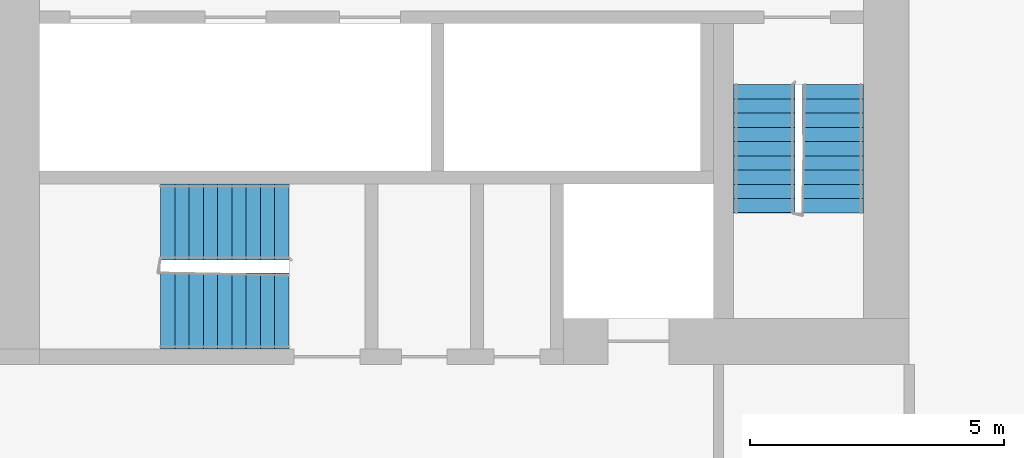
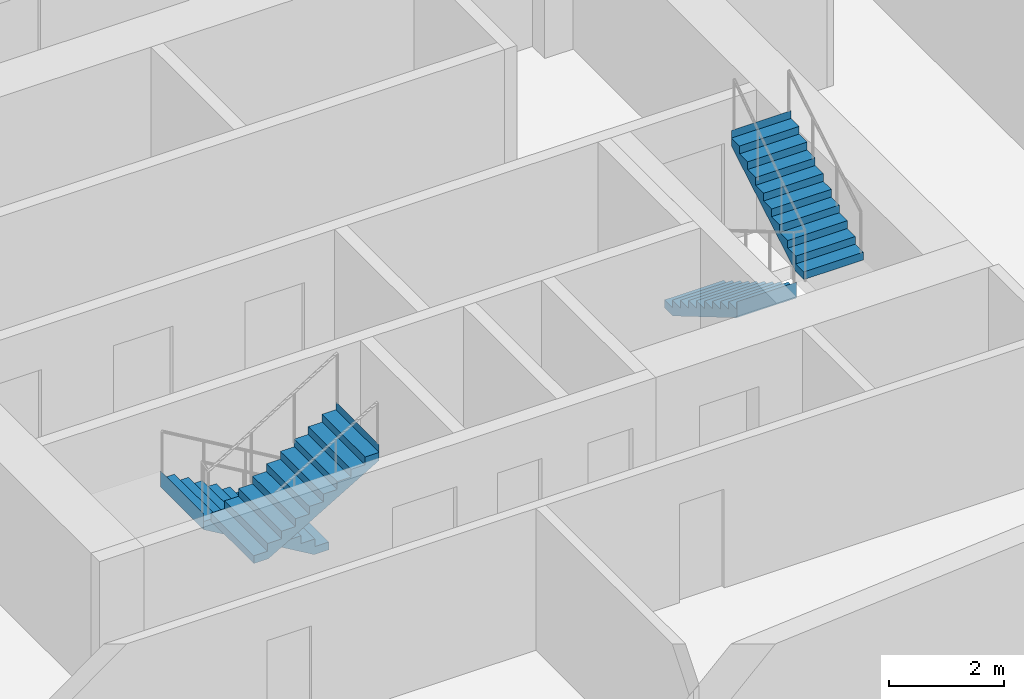
# One storey, part 9 of 12: 4 stair flights, 2 elements without a shape of their own.
"""IFC4 building model written with IfcOpenShell, lengths in metres."""

from ifc_helpers import new_model, si_unit, direction, frame, origin, place, context, subcontext, project, spatial, faceted_brep, material, type_object, element, aggregate, save


model = new_model("IFC4")

# Units and contexts
model_context = context("Model", 3, precision=1e-05, world=origin(), true_north=direction((0.0, 1.0)))
body_context = subcontext(model_context, "Body", "Model", "MODEL_VIEW")
ifc_project = project(units=[si_unit("LENGTHUNIT", "METRE"), si_unit("AREAUNIT", "SQUARE_METRE"), si_unit("VOLUMEUNIT", "CUBIC_METRE"), si_unit("PLANEANGLEUNIT", "RADIAN"), si_unit("MASSUNIT", "GRAM", prefix="KILO")], contexts=[model_context])

# Site, building, storey
site_placement = place(None, origin())
site = spatial("IfcSite", under=ifc_project, at=site_placement, CompositionType="ELEMENT")
building_placement = place(site_placement, origin())
building = spatial("IfcBuilding", under=site, at=building_placement, Name="Kajstack Hotel Tower", CompositionType="ELEMENT")
storey_placement = place(building_placement, frame((0.0, 0.0, 127.300048828125)))
storey = spatial("IfcBuildingStorey", under=building, at=storey_placement, Name="L28", CompositionType="ELEMENT", Elevation=127.300048828125)

# Stair, stair flights
ifc_material = material(Name="Concrete C40/50", Category="concrete")
stair_type_1 = type_object("IfcStairType", Name="Exit stair 1200", PredefinedType="HALF_TURN_STAIR", material=ifc_material)
stair_1_placement = place(storey_placement, origin())
stair_1 = element("IfcStair", 1, at=stair_1_placement, inside=storey, type_object=stair_type_1, Name="L28 stair W2", PredefinedType="HALF_TURN_STAIR")
stair_flight_type_1 = type_object("IfcStairFlightType", Name="Exit stair flight 1200", PredefinedType="STRAIGHT", material=ifc_material)
stair_flight_1_placement = place(storey_placement, frame((-16.35009765625, -10.0, 0.0), z_axis=(0.0, 0.0, 1.0), x_axis=(0.0, -1.0, 0.0)))
stair_flight_1 = element("IfcStairFlight", 2, at=stair_flight_1_placement, type_object=stair_flight_type_1, Name="W2 flight 1", NumberOfRisers=10, NumberOfTreads=9, PredefinedType="STRAIGHT", RiserHeight=0.165, TreadLength=0.28, context=body_context, shape_type="Brep", body=[
    faceted_brep([(0.295654296875, -0.60009765625, 0.0), (2.5205078125, -0.60009765625, 1.31103515625), (2.5205078125, -0.60009765625, 1.64990234375), (2.52001953125, -0.60009765625, 1.64990234375), (2.52001953125, -0.60009765625, 1.485107421875), (2.239990234375, -0.60009765625, 1.485107421875), (2.239990234375, -0.60009765625, 1.320068359375), (1.9599609375, -0.60009765625, 1.320068359375), (1.9599609375, -0.60009765625, 1.155029296875), (1.679931640625, -0.60009765625, 1.155029296875), (1.679931640625, -0.60009765625, 0.989990234375), (1.39990234375, -0.60009765625, 0.989990234375), (1.39990234375, -0.60009765625, 0.824951171875), (1.1201171875, -0.60009765625, 0.824951171875), (1.1201171875, -0.60009765625, 0.659912109375), (0.840087890625, -0.60009765625, 0.659912109375), (0.840087890625, -0.60009765625, 0.4951171875), (0.56005859375, -0.60009765625, 0.4951171875), (0.56005859375, -0.60009765625, 0.330078125), (0.280029296875, -0.60009765625, 0.330078125), (0.280029296875, -0.60009765625, 0.1650390625), (-0.00048828125, -0.60009765625, 0.1650390625), (-0.00048828125, -0.60009765625, 0.0), (-0.00048828125, 0.60009765625, 0.0), (-0.00048828125, 0.60009765625, 0.1650390625), (0.280029296875, 0.60009765625, 0.1650390625), (0.280029296875, 0.60009765625, 0.330078125), (0.56005859375, 0.60009765625, 0.330078125), (0.56005859375, 0.60009765625, 0.4951171875), (0.840087890625, 0.60009765625, 0.4951171875), (0.840087890625, 0.60009765625, 0.659912109375), (1.1201171875, 0.60009765625, 0.659912109375), (1.1201171875, 0.60009765625, 0.824951171875), (1.39990234375, 0.60009765625, 0.824951171875), (1.39990234375, 0.60009765625, 0.989990234375), (1.679931640625, 0.60009765625, 0.989990234375), (1.679931640625, 0.60009765625, 1.155029296875), (1.9599609375, 0.60009765625, 1.155029296875), (1.9599609375, 0.60009765625, 1.320068359375), (2.239990234375, 0.60009765625, 1.320068359375), (2.239990234375, 0.60009765625, 1.485107421875), (2.52001953125, 0.60009765625, 1.485107421875), (2.52001953125, 0.60009765625, 1.64990234375), (2.5205078125, 0.60009765625, 1.64990234375), (2.5205078125, 0.60009765625, 1.31103515625), (0.295654296875, 0.60009765625, 0.0), (-0.00048828125, -0.300048828125, 0.1650390625), (-0.00048828125, 0.0, 0.1650390625), (-0.00048828125, 0.300048828125, 0.1650390625), (-0.00048828125, 0.300048828125, 0.0), (-0.00048828125, 0.0, 0.0), (-0.00048828125, -0.300048828125, 0.0), (0.280029296875, -0.300048828125, 0.1650390625), (0.280029296875, 0.0, 0.1650390625), (0.280029296875, 0.300048828125, 0.1650390625), (0.280029296875, -0.300048828125, 0.330078125), (0.280029296875, 0.0, 0.330078125), (0.280029296875, 0.300048828125, 0.330078125), (0.56005859375, -0.300048828125, 0.330078125), (0.56005859375, 0.0, 0.330078125), (0.56005859375, 0.300048828125, 0.330078125), (0.56005859375, -0.300048828125, 0.4951171875), (0.56005859375, 0.0, 0.4951171875), (0.56005859375, 0.300048828125, 0.4951171875), (0.840087890625, -0.300048828125, 0.4951171875), (0.840087890625, 0.0, 0.4951171875), (0.840087890625, 0.300048828125, 0.4951171875), (0.840087890625, -0.300048828125, 0.659912109375), (0.840087890625, 0.0, 0.659912109375), (0.840087890625, 0.300048828125, 0.659912109375), (1.1201171875, -0.300048828125, 0.659912109375), (1.1201171875, 0.0, 0.659912109375), (1.1201171875, 0.300048828125, 0.659912109375), (1.1201171875, -0.300048828125, 0.824951171875), (1.1201171875, 0.0, 0.824951171875), (1.1201171875, 0.300048828125, 0.824951171875), (1.39990234375, -0.300048828125, 0.824951171875), (1.39990234375, 0.0, 0.824951171875), (1.39990234375, 0.300048828125, 0.824951171875), (1.39990234375, -0.300048828125, 0.989990234375), (1.39990234375, 0.0, 0.989990234375), (1.39990234375, 0.300048828125, 0.989990234375), (1.679931640625, -0.300048828125, 0.989990234375), (1.679931640625, 0.0, 0.989990234375), (1.679931640625, 0.300048828125, 0.989990234375), (1.679931640625, -0.300048828125, 1.155029296875), (1.679931640625, 0.0, 1.155029296875), (1.679931640625, 0.300048828125, 1.155029296875), (1.9599609375, -0.300048828125, 1.155029296875), (1.9599609375, 0.0, 1.155029296875), (1.9599609375, 0.300048828125, 1.155029296875), (1.9599609375, -0.300048828125, 1.320068359375), (1.9599609375, 0.0, 1.320068359375), (1.9599609375, 0.300048828125, 1.320068359375), (2.239990234375, -0.300048828125, 1.320068359375), (2.239990234375, 0.0, 1.320068359375), (2.239990234375, 0.300048828125, 1.320068359375), (2.239990234375, -0.300048828125, 1.485107421875), (2.239990234375, 0.0, 1.485107421875), (2.239990234375, 0.300048828125, 1.485107421875), (2.52001953125, -0.300048828125, 1.485107421875), (2.52001953125, 0.0, 1.485107421875), (2.52001953125, 0.300048828125, 1.485107421875), (2.52001953125, -0.300048828125, 1.64990234375), (2.52001953125, 0.0, 1.64990234375), (2.52001953125, 0.300048828125, 1.64990234375), (2.5205078125, -0.300048828125, 1.64990234375), (2.5205078125, 0.0, 1.64990234375), (2.5205078125, 0.300048828125, 1.64990234375), (2.5205078125, -0.300048828125, 1.31103515625), (2.5205078125, 0.0, 1.31103515625), (2.5205078125, 0.300048828125, 1.31103515625), (0.295654296875, -0.300048828125, 0.0), (0.295654296875, 0.0, 0.0), (0.295654296875, 0.300048828125, 0.0)], [[[0, 1, 2, 3, 4, 5, 6, 7, 8, 9, 10, 11, 12, 13, 14, 15, 16, 17, 18, 19, 20, 21, 22]], [[23, 24, 25, 26, 27, 28, 29, 30, 31, 32, 33, 34, 35, 36, 37, 38, 39, 40, 41, 42, 43, 44, 45]], [[21, 46, 47, 48, 24, 23, 49, 50, 51, 22]], [[20, 52, 53, 54, 25, 24, 48, 47, 46, 21]], [[19, 55, 56, 57, 26, 25, 54, 53, 52, 20]], [[18, 58, 59, 60, 27, 26, 57, 56, 55, 19]], [[17, 61, 62, 63, 28, 27, 60, 59, 58, 18]], [[16, 64, 65, 66, 29, 28, 63, 62, 61, 17]], [[15, 67, 68, 69, 30, 29, 66, 65, 64, 16]], [[14, 70, 71, 72, 31, 30, 69, 68, 67, 15]], [[13, 73, 74, 75, 32, 31, 72, 71, 70, 14]], [[12, 76, 77, 78, 33, 32, 75, 74, 73, 13]], [[11, 79, 80, 81, 34, 33, 78, 77, 76, 12]], [[10, 82, 83, 84, 35, 34, 81, 80, 79, 11]], [[9, 85, 86, 87, 36, 35, 84, 83, 82, 10]], [[8, 88, 89, 90, 37, 36, 87, 86, 85, 9]], [[7, 91, 92, 93, 38, 37, 90, 89, 88, 8]], [[6, 94, 95, 96, 39, 38, 93, 92, 91, 7]], [[5, 97, 98, 99, 40, 39, 96, 95, 94, 6]], [[4, 100, 101, 102, 41, 40, 99, 98, 97, 5]], [[3, 103, 104, 105, 42, 41, 102, 101, 100, 4]], [[2, 106, 107, 108, 43, 42, 105, 104, 103, 3]], [[1, 109, 110, 111, 44, 43, 108, 107, 106, 2]], [[0, 112, 113, 114, 45, 44, 111, 110, 109, 1]], [[22, 51, 50, 49, 23, 45, 114, 113, 112, 0]]]),
])
stair_flight_2_placement = place(storey_placement, frame((-15.0, -12.52001953125, 1.64990234375), z_axis=(0.0, 0.0, 1.0), x_axis=(0.0, 1.0, 0.0)))
stair_flight_2 = element("IfcStairFlight", 3, at=stair_flight_2_placement, type_object=stair_flight_type_1, Name="W2 flight 2", NumberOfRisers=10, NumberOfTreads=9, PredefinedType="STRAIGHT", RiserHeight=0.165, TreadLength=0.28, context=body_context, shape_type="Brep", body=[
    faceted_brep([(0.295654296875, -0.60009765625, 0.0), (2.5205078125, -0.60009765625, 1.31103515625), (2.5205078125, -0.60009765625, 1.64990234375), (2.52001953125, -0.60009765625, 1.64990234375), (2.52001953125, -0.60009765625, 1.485107421875), (2.239990234375, -0.60009765625, 1.485107421875), (2.239990234375, -0.60009765625, 1.320068359375), (1.9599609375, -0.60009765625, 1.320068359375), (1.9599609375, -0.60009765625, 1.155029296875), (1.679931640625, -0.60009765625, 1.155029296875), (1.679931640625, -0.60009765625, 0.989990234375), (1.39990234375, -0.60009765625, 0.989990234375), (1.39990234375, -0.60009765625, 0.824951171875), (1.1201171875, -0.60009765625, 0.824951171875), (1.1201171875, -0.60009765625, 0.659912109375), (0.840087890625, -0.60009765625, 0.659912109375), (0.840087890625, -0.60009765625, 0.4951171875), (0.56005859375, -0.60009765625, 0.4951171875), (0.56005859375, -0.60009765625, 0.330078125), (0.280029296875, -0.60009765625, 0.330078125), (0.280029296875, -0.60009765625, 0.1650390625), (-0.00048828125, -0.60009765625, 0.1650390625), (-0.00048828125, -0.60009765625, 0.0), (-0.00048828125, 0.60009765625, 0.0), (-0.00048828125, 0.60009765625, 0.1650390625), (0.280029296875, 0.60009765625, 0.1650390625), (0.280029296875, 0.60009765625, 0.330078125), (0.56005859375, 0.60009765625, 0.330078125), (0.56005859375, 0.60009765625, 0.4951171875), (0.840087890625, 0.60009765625, 0.4951171875), (0.840087890625, 0.60009765625, 0.659912109375), (1.1201171875, 0.60009765625, 0.659912109375), (1.1201171875, 0.60009765625, 0.824951171875), (1.39990234375, 0.60009765625, 0.824951171875), (1.39990234375, 0.60009765625, 0.989990234375), (1.679931640625, 0.60009765625, 0.989990234375), (1.679931640625, 0.60009765625, 1.155029296875), (1.9599609375, 0.60009765625, 1.155029296875), (1.9599609375, 0.60009765625, 1.320068359375), (2.239990234375, 0.60009765625, 1.320068359375), (2.239990234375, 0.60009765625, 1.485107421875), (2.52001953125, 0.60009765625, 1.485107421875), (2.52001953125, 0.60009765625, 1.64990234375), (2.5205078125, 0.60009765625, 1.64990234375), (2.5205078125, 0.60009765625, 1.31103515625), (0.295654296875, 0.60009765625, 0.0), (-0.00048828125, -0.300048828125, 0.1650390625), (-0.00048828125, 0.0, 0.1650390625), (-0.00048828125, 0.300048828125, 0.1650390625), (-0.00048828125, 0.300048828125, 0.0), (-0.00048828125, 0.0, 0.0), (-0.00048828125, -0.300048828125, 0.0), (0.280029296875, -0.300048828125, 0.1650390625), (0.280029296875, 0.0, 0.1650390625), (0.280029296875, 0.300048828125, 0.1650390625), (0.280029296875, -0.300048828125, 0.330078125), (0.280029296875, 0.0, 0.330078125), (0.280029296875, 0.300048828125, 0.330078125), (0.56005859375, -0.300048828125, 0.330078125), (0.56005859375, 0.0, 0.330078125), (0.56005859375, 0.300048828125, 0.330078125), (0.56005859375, -0.300048828125, 0.4951171875), (0.56005859375, 0.0, 0.4951171875), (0.56005859375, 0.300048828125, 0.4951171875), (0.840087890625, -0.300048828125, 0.4951171875), (0.840087890625, 0.0, 0.4951171875), (0.840087890625, 0.300048828125, 0.4951171875), (0.840087890625, -0.300048828125, 0.659912109375), (0.840087890625, 0.0, 0.659912109375), (0.840087890625, 0.300048828125, 0.659912109375), (1.1201171875, -0.300048828125, 0.659912109375), (1.1201171875, 0.0, 0.659912109375), (1.1201171875, 0.300048828125, 0.659912109375), (1.1201171875, -0.300048828125, 0.824951171875), (1.1201171875, 0.0, 0.824951171875), (1.1201171875, 0.300048828125, 0.824951171875), (1.39990234375, -0.300048828125, 0.824951171875), (1.39990234375, 0.0, 0.824951171875), (1.39990234375, 0.300048828125, 0.824951171875), (1.39990234375, -0.300048828125, 0.989990234375), (1.39990234375, 0.0, 0.989990234375), (1.39990234375, 0.300048828125, 0.989990234375), (1.679931640625, -0.300048828125, 0.989990234375), (1.679931640625, 0.0, 0.989990234375), (1.679931640625, 0.300048828125, 0.989990234375), (1.679931640625, -0.300048828125, 1.155029296875), (1.679931640625, 0.0, 1.155029296875), (1.679931640625, 0.300048828125, 1.155029296875), (1.9599609375, -0.300048828125, 1.155029296875), (1.9599609375, 0.0, 1.155029296875), (1.9599609375, 0.300048828125, 1.155029296875), (1.9599609375, -0.300048828125, 1.320068359375), (1.9599609375, 0.0, 1.320068359375), (1.9599609375, 0.300048828125, 1.320068359375), (2.239990234375, -0.300048828125, 1.320068359375), (2.239990234375, 0.0, 1.320068359375), (2.239990234375, 0.300048828125, 1.320068359375), (2.239990234375, -0.300048828125, 1.485107421875), (2.239990234375, 0.0, 1.485107421875), (2.239990234375, 0.300048828125, 1.485107421875), (2.52001953125, -0.300048828125, 1.485107421875), (2.52001953125, 0.0, 1.485107421875), (2.52001953125, 0.300048828125, 1.485107421875), (2.52001953125, -0.300048828125, 1.64990234375), (2.52001953125, 0.0, 1.64990234375), (2.52001953125, 0.300048828125, 1.64990234375), (2.5205078125, -0.300048828125, 1.64990234375), (2.5205078125, 0.0, 1.64990234375), (2.5205078125, 0.300048828125, 1.64990234375), (2.5205078125, -0.300048828125, 1.31103515625), (2.5205078125, 0.0, 1.31103515625), (2.5205078125, 0.300048828125, 1.31103515625), (0.295654296875, -0.300048828125, 0.0), (0.295654296875, 0.0, 0.0), (0.295654296875, 0.300048828125, 0.0)], [[[0, 1, 2, 3, 4, 5, 6, 7, 8, 9, 10, 11, 12, 13, 14, 15, 16, 17, 18, 19, 20, 21, 22]], [[23, 24, 25, 26, 27, 28, 29, 30, 31, 32, 33, 34, 35, 36, 37, 38, 39, 40, 41, 42, 43, 44, 45]], [[21, 46, 47, 48, 24, 23, 49, 50, 51, 22]], [[20, 52, 53, 54, 25, 24, 48, 47, 46, 21]], [[19, 55, 56, 57, 26, 25, 54, 53, 52, 20]], [[18, 58, 59, 60, 27, 26, 57, 56, 55, 19]], [[17, 61, 62, 63, 28, 27, 60, 59, 58, 18]], [[16, 64, 65, 66, 29, 28, 63, 62, 61, 17]], [[15, 67, 68, 69, 30, 29, 66, 65, 64, 16]], [[14, 70, 71, 72, 31, 30, 69, 68, 67, 15]], [[13, 73, 74, 75, 32, 31, 72, 71, 70, 14]], [[12, 76, 77, 78, 33, 32, 75, 74, 73, 13]], [[11, 79, 80, 81, 34, 33, 78, 77, 76, 12]], [[10, 82, 83, 84, 35, 34, 81, 80, 79, 11]], [[9, 85, 86, 87, 36, 35, 84, 83, 82, 10]], [[8, 88, 89, 90, 37, 36, 87, 86, 85, 9]], [[7, 91, 92, 93, 38, 37, 90, 89, 88, 8]], [[6, 94, 95, 96, 39, 38, 93, 92, 91, 7]], [[5, 97, 98, 99, 40, 39, 96, 95, 94, 6]], [[4, 100, 101, 102, 41, 40, 99, 98, 97, 5]], [[3, 103, 104, 105, 42, 41, 102, 101, 100, 4]], [[2, 106, 107, 108, 43, 42, 105, 104, 103, 3]], [[1, 109, 110, 111, 44, 43, 108, 107, 106, 2]], [[0, 112, 113, 114, 45, 44, 111, 110, 109, 1]], [[22, 51, 50, 49, 23, 45, 114, 113, 112, 0]]]),
])
aggregate(stair_1, [stair_flight_1, stair_flight_2])

stair_type_2 = type_object("IfcStairType", Name="Exit stair 1500", PredefinedType="HALF_TURN_STAIR", material=ifc_material)
stair_2_placement = place(storey_placement, origin())
stair_2 = element("IfcStair", 4, at=stair_2_placement, inside=storey, type_object=stair_type_2, Name="L28 stair W3", PredefinedType="HALF_TURN_STAIR")
stair_flight_type_2 = type_object("IfcStairFlightType", Name="Exit stair flight 1500", PredefinedType="STRAIGHT", material=ifc_material)
stair_flight_3_placement = place(storey_placement, frame((-25.699951171875, -12.699951171875, 0.0), z_axis=(0.0, 0.0, 1.0), x_axis=(-1.0, 0.0, 0.0)))
stair_flight_3 = element("IfcStairFlight", 5, at=stair_flight_3_placement, type_object=stair_flight_type_2, Name="W3 flight 1", NumberOfRisers=10, NumberOfTreads=9, PredefinedType="STRAIGHT", RiserHeight=0.165, TreadLength=0.28, context=body_context, shape_type="Brep", body=[
    faceted_brep([(0.295654296875, -0.75, 0.0), (2.5205078125, -0.75, 1.31103515625), (2.5205078125, -0.75, 1.64990234375), (2.52001953125, -0.75, 1.64990234375), (2.52001953125, -0.75, 1.485107421875), (2.239990234375, -0.75, 1.485107421875), (2.239990234375, -0.75, 1.320068359375), (1.9599609375, -0.75, 1.320068359375), (1.9599609375, -0.75, 1.155029296875), (1.679931640625, -0.75, 1.155029296875), (1.679931640625, -0.75, 0.989990234375), (1.39990234375, -0.75, 0.989990234375), (1.39990234375, -0.75, 0.824951171875), (1.1201171875, -0.75, 0.824951171875), (1.1201171875, -0.75, 0.659912109375), (0.840087890625, -0.75, 0.659912109375), (0.840087890625, -0.75, 0.4951171875), (0.56005859375, -0.75, 0.4951171875), (0.56005859375, -0.75, 0.330078125), (0.280029296875, -0.75, 0.330078125), (0.280029296875, -0.75, 0.1650390625), (-0.00048828125, -0.75, 0.1650390625), (-0.00048828125, -0.75, 0.0), (-0.00048828125, 0.75, 0.0), (-0.00048828125, 0.75, 0.1650390625), (0.280029296875, 0.75, 0.1650390625), (0.280029296875, 0.75, 0.330078125), (0.56005859375, 0.75, 0.330078125), (0.56005859375, 0.75, 0.4951171875), (0.840087890625, 0.75, 0.4951171875), (0.840087890625, 0.75, 0.659912109375), (1.1201171875, 0.75, 0.659912109375), (1.1201171875, 0.75, 0.824951171875), (1.39990234375, 0.75, 0.824951171875), (1.39990234375, 0.75, 0.989990234375), (1.679931640625, 0.75, 0.989990234375), (1.679931640625, 0.75, 1.155029296875), (1.9599609375, 0.75, 1.155029296875), (1.9599609375, 0.75, 1.320068359375), (2.239990234375, 0.75, 1.320068359375), (2.239990234375, 0.75, 1.485107421875), (2.52001953125, 0.75, 1.485107421875), (2.52001953125, 0.75, 1.64990234375), (2.5205078125, 0.75, 1.64990234375), (2.5205078125, 0.75, 1.31103515625), (0.295654296875, 0.75, 0.0), (-0.00048828125, -0.375, 0.1650390625), (-0.00048828125, 0.0, 0.1650390625), (-0.00048828125, 0.375, 0.1650390625), (-0.00048828125, 0.375, 0.0), (-0.00048828125, 0.0, 0.0), (-0.00048828125, -0.375, 0.0), (0.280029296875, -0.375, 0.1650390625), (0.280029296875, 0.0, 0.1650390625), (0.280029296875, 0.375, 0.1650390625), (0.280029296875, -0.375, 0.330078125), (0.280029296875, 0.0, 0.330078125), (0.280029296875, 0.375, 0.330078125), (0.56005859375, -0.375, 0.330078125), (0.56005859375, 0.0, 0.330078125), (0.56005859375, 0.375, 0.330078125), (0.56005859375, -0.375, 0.4951171875), (0.56005859375, 0.0, 0.4951171875), (0.56005859375, 0.375, 0.4951171875), (0.840087890625, -0.375, 0.4951171875), (0.840087890625, 0.0, 0.4951171875), (0.840087890625, 0.375, 0.4951171875), (0.840087890625, -0.375, 0.659912109375), (0.840087890625, 0.0, 0.659912109375), (0.840087890625, 0.375, 0.659912109375), (1.1201171875, -0.375, 0.659912109375), (1.1201171875, 0.0, 0.659912109375), (1.1201171875, 0.375, 0.659912109375), (1.1201171875, -0.375, 0.824951171875), (1.1201171875, 0.0, 0.824951171875), (1.1201171875, 0.375, 0.824951171875), (1.39990234375, -0.375, 0.824951171875), (1.39990234375, 0.0, 0.824951171875), (1.39990234375, 0.375, 0.824951171875), (1.39990234375, -0.375, 0.989990234375), (1.39990234375, 0.0, 0.989990234375), (1.39990234375, 0.375, 0.989990234375), (1.679931640625, -0.375, 0.989990234375), (1.679931640625, 0.0, 0.989990234375), (1.679931640625, 0.375, 0.989990234375), (1.679931640625, -0.375, 1.155029296875), (1.679931640625, 0.0, 1.155029296875), (1.679931640625, 0.375, 1.155029296875), (1.9599609375, -0.375, 1.155029296875), (1.9599609375, 0.0, 1.155029296875), (1.9599609375, 0.375, 1.155029296875), (1.9599609375, -0.375, 1.320068359375), (1.9599609375, 0.0, 1.320068359375), (1.9599609375, 0.375, 1.320068359375), (2.239990234375, -0.375, 1.320068359375), (2.239990234375, 0.0, 1.320068359375), (2.239990234375, 0.375, 1.320068359375), (2.239990234375, -0.375, 1.485107421875), (2.239990234375, 0.0, 1.485107421875), (2.239990234375, 0.375, 1.485107421875), (2.52001953125, -0.375, 1.485107421875), (2.52001953125, 0.0, 1.485107421875), (2.52001953125, 0.375, 1.485107421875), (2.52001953125, -0.375, 1.64990234375), (2.52001953125, 0.0, 1.64990234375), (2.52001953125, 0.375, 1.64990234375), (2.5205078125, -0.375, 1.64990234375), (2.5205078125, 0.0, 1.64990234375), (2.5205078125, 0.375, 1.64990234375), (2.5205078125, -0.375, 1.31103515625), (2.5205078125, 0.0, 1.31103515625), (2.5205078125, 0.375, 1.31103515625), (0.295654296875, -0.375, 0.0), (0.295654296875, 0.0, 0.0), (0.295654296875, 0.375, 0.0)], [[[0, 1, 2, 3, 4, 5, 6, 7, 8, 9, 10, 11, 12, 13, 14, 15, 16, 17, 18, 19, 20, 21, 22]], [[23, 24, 25, 26, 27, 28, 29, 30, 31, 32, 33, 34, 35, 36, 37, 38, 39, 40, 41, 42, 43, 44, 45]], [[21, 46, 47, 48, 24, 23, 49, 50, 51, 22]], [[20, 52, 53, 54, 25, 24, 48, 47, 46, 21]], [[19, 55, 56, 57, 26, 25, 54, 53, 52, 20]], [[18, 58, 59, 60, 27, 26, 57, 56, 55, 19]], [[17, 61, 62, 63, 28, 27, 60, 59, 58, 18]], [[16, 64, 65, 66, 29, 28, 63, 62, 61, 17]], [[15, 67, 68, 69, 30, 29, 66, 65, 64, 16]], [[14, 70, 71, 72, 31, 30, 69, 68, 67, 15]], [[13, 73, 74, 75, 32, 31, 72, 71, 70, 14]], [[12, 76, 77, 78, 33, 32, 75, 74, 73, 13]], [[11, 79, 80, 81, 34, 33, 78, 77, 76, 12]], [[10, 82, 83, 84, 35, 34, 81, 80, 79, 11]], [[9, 85, 86, 87, 36, 35, 84, 83, 82, 10]], [[8, 88, 89, 90, 37, 36, 87, 86, 85, 9]], [[7, 91, 92, 93, 38, 37, 90, 89, 88, 8]], [[6, 94, 95, 96, 39, 38, 93, 92, 91, 7]], [[5, 97, 98, 99, 40, 39, 96, 95, 94, 6]], [[4, 100, 101, 102, 41, 40, 99, 98, 97, 5]], [[3, 103, 104, 105, 42, 41, 102, 101, 100, 4]], [[2, 106, 107, 108, 43, 42, 105, 104, 103, 3]], [[1, 109, 110, 111, 44, 43, 108, 107, 106, 2]], [[0, 112, 113, 114, 45, 44, 111, 110, 109, 1]], [[22, 51, 50, 49, 23, 45, 114, 113, 112, 0]]]),
])
stair_flight_4_placement = place(storey_placement, frame((-28.219970703125, -14.449951171875, 1.64990234375), z_axis=(0.0, 0.0, 1.0), x_axis=(1.0, 0.0, 0.0)))
stair_flight_4 = element("IfcStairFlight", 6, at=stair_flight_4_placement, type_object=stair_flight_type_2, Name="W3 flight 2", NumberOfRisers=10, NumberOfTreads=9, PredefinedType="STRAIGHT", RiserHeight=0.165, TreadLength=0.28, context=body_context, shape_type="Brep", body=[
    faceted_brep([(0.295654296875, -0.75, 0.0), (2.5205078125, -0.75, 1.31103515625), (2.5205078125, -0.75, 1.64990234375), (2.52001953125, -0.75, 1.64990234375), (2.52001953125, -0.75, 1.485107421875), (2.239990234375, -0.75, 1.485107421875), (2.239990234375, -0.75, 1.320068359375), (1.9599609375, -0.75, 1.320068359375), (1.9599609375, -0.75, 1.155029296875), (1.679931640625, -0.75, 1.155029296875), (1.679931640625, -0.75, 0.989990234375), (1.39990234375, -0.75, 0.989990234375), (1.39990234375, -0.75, 0.824951171875), (1.1201171875, -0.75, 0.824951171875), (1.1201171875, -0.75, 0.659912109375), (0.840087890625, -0.75, 0.659912109375), (0.840087890625, -0.75, 0.4951171875), (0.56005859375, -0.75, 0.4951171875), (0.56005859375, -0.75, 0.330078125), (0.280029296875, -0.75, 0.330078125), (0.280029296875, -0.75, 0.1650390625), (-0.00048828125, -0.75, 0.1650390625), (-0.00048828125, -0.75, 0.0), (-0.00048828125, 0.75, 0.0), (-0.00048828125, 0.75, 0.1650390625), (0.280029296875, 0.75, 0.1650390625), (0.280029296875, 0.75, 0.330078125), (0.56005859375, 0.75, 0.330078125), (0.56005859375, 0.75, 0.4951171875), (0.840087890625, 0.75, 0.4951171875), (0.840087890625, 0.75, 0.659912109375), (1.1201171875, 0.75, 0.659912109375), (1.1201171875, 0.75, 0.824951171875), (1.39990234375, 0.75, 0.824951171875), (1.39990234375, 0.75, 0.989990234375), (1.679931640625, 0.75, 0.989990234375), (1.679931640625, 0.75, 1.155029296875), (1.9599609375, 0.75, 1.155029296875), (1.9599609375, 0.75, 1.320068359375), (2.239990234375, 0.75, 1.320068359375), (2.239990234375, 0.75, 1.485107421875), (2.52001953125, 0.75, 1.485107421875), (2.52001953125, 0.75, 1.64990234375), (2.5205078125, 0.75, 1.64990234375), (2.5205078125, 0.75, 1.31103515625), (0.295654296875, 0.75, 0.0), (-0.00048828125, -0.375, 0.1650390625), (-0.00048828125, 0.0, 0.1650390625), (-0.00048828125, 0.375, 0.1650390625), (-0.00048828125, 0.375, 0.0), (-0.00048828125, 0.0, 0.0), (-0.00048828125, -0.375, 0.0), (0.280029296875, -0.375, 0.1650390625), (0.280029296875, 0.0, 0.1650390625), (0.280029296875, 0.375, 0.1650390625), (0.280029296875, -0.375, 0.330078125), (0.280029296875, 0.0, 0.330078125), (0.280029296875, 0.375, 0.330078125), (0.56005859375, -0.375, 0.330078125), (0.56005859375, 0.0, 0.330078125), (0.56005859375, 0.375, 0.330078125), (0.56005859375, -0.375, 0.4951171875), (0.56005859375, 0.0, 0.4951171875), (0.56005859375, 0.375, 0.4951171875), (0.840087890625, -0.375, 0.4951171875), (0.840087890625, 0.0, 0.4951171875), (0.840087890625, 0.375, 0.4951171875), (0.840087890625, -0.375, 0.659912109375), (0.840087890625, 0.0, 0.659912109375), (0.840087890625, 0.375, 0.659912109375), (1.1201171875, -0.375, 0.659912109375), (1.1201171875, 0.0, 0.659912109375), (1.1201171875, 0.375, 0.659912109375), (1.1201171875, -0.375, 0.824951171875), (1.1201171875, 0.0, 0.824951171875), (1.1201171875, 0.375, 0.824951171875), (1.39990234375, -0.375, 0.824951171875), (1.39990234375, 0.0, 0.824951171875), (1.39990234375, 0.375, 0.824951171875), (1.39990234375, -0.375, 0.989990234375), (1.39990234375, 0.0, 0.989990234375), (1.39990234375, 0.375, 0.989990234375), (1.679931640625, -0.375, 0.989990234375), (1.679931640625, 0.0, 0.989990234375), (1.679931640625, 0.375, 0.989990234375), (1.679931640625, -0.375, 1.155029296875), (1.679931640625, 0.0, 1.155029296875), (1.679931640625, 0.375, 1.155029296875), (1.9599609375, -0.375, 1.155029296875), (1.9599609375, 0.0, 1.155029296875), (1.9599609375, 0.375, 1.155029296875), (1.9599609375, -0.375, 1.320068359375), (1.9599609375, 0.0, 1.320068359375), (1.9599609375, 0.375, 1.320068359375), (2.239990234375, -0.375, 1.320068359375), (2.239990234375, 0.0, 1.320068359375), (2.239990234375, 0.375, 1.320068359375), (2.239990234375, -0.375, 1.485107421875), (2.239990234375, 0.0, 1.485107421875), (2.239990234375, 0.375, 1.485107421875), (2.52001953125, -0.375, 1.485107421875), (2.52001953125, 0.0, 1.485107421875), (2.52001953125, 0.375, 1.485107421875), (2.52001953125, -0.375, 1.64990234375), (2.52001953125, 0.0, 1.64990234375), (2.52001953125, 0.375, 1.64990234375), (2.5205078125, -0.375, 1.64990234375), (2.5205078125, 0.0, 1.64990234375), (2.5205078125, 0.375, 1.64990234375), (2.5205078125, -0.375, 1.31103515625), (2.5205078125, 0.0, 1.31103515625), (2.5205078125, 0.375, 1.31103515625), (0.295654296875, -0.375, 0.0), (0.295654296875, 0.0, 0.0), (0.295654296875, 0.375, 0.0)], [[[0, 1, 2, 3, 4, 5, 6, 7, 8, 9, 10, 11, 12, 13, 14, 15, 16, 17, 18, 19, 20, 21, 22]], [[23, 24, 25, 26, 27, 28, 29, 30, 31, 32, 33, 34, 35, 36, 37, 38, 39, 40, 41, 42, 43, 44, 45]], [[21, 46, 47, 48, 24, 23, 49, 50, 51, 22]], [[20, 52, 53, 54, 25, 24, 48, 47, 46, 21]], [[19, 55, 56, 57, 26, 25, 54, 53, 52, 20]], [[18, 58, 59, 60, 27, 26, 57, 56, 55, 19]], [[17, 61, 62, 63, 28, 27, 60, 59, 58, 18]], [[16, 64, 65, 66, 29, 28, 63, 62, 61, 17]], [[15, 67, 68, 69, 30, 29, 66, 65, 64, 16]], [[14, 70, 71, 72, 31, 30, 69, 68, 67, 15]], [[13, 73, 74, 75, 32, 31, 72, 71, 70, 14]], [[12, 76, 77, 78, 33, 32, 75, 74, 73, 13]], [[11, 79, 80, 81, 34, 33, 78, 77, 76, 12]], [[10, 82, 83, 84, 35, 34, 81, 80, 79, 11]], [[9, 85, 86, 87, 36, 35, 84, 83, 82, 10]], [[8, 88, 89, 90, 37, 36, 87, 86, 85, 9]], [[7, 91, 92, 93, 38, 37, 90, 89, 88, 8]], [[6, 94, 95, 96, 39, 38, 93, 92, 91, 7]], [[5, 97, 98, 99, 40, 39, 96, 95, 94, 6]], [[4, 100, 101, 102, 41, 40, 99, 98, 97, 5]], [[3, 103, 104, 105, 42, 41, 102, 101, 100, 4]], [[2, 106, 107, 108, 43, 42, 105, 104, 103, 3]], [[1, 109, 110, 111, 44, 43, 108, 107, 106, 2]], [[0, 112, 113, 114, 45, 44, 111, 110, 109, 1]], [[22, 51, 50, 49, 23, 45, 114, 113, 112, 0]]]),
])
aggregate(stair_2, [stair_flight_3, stair_flight_4])

save(model, "model.ifc")
